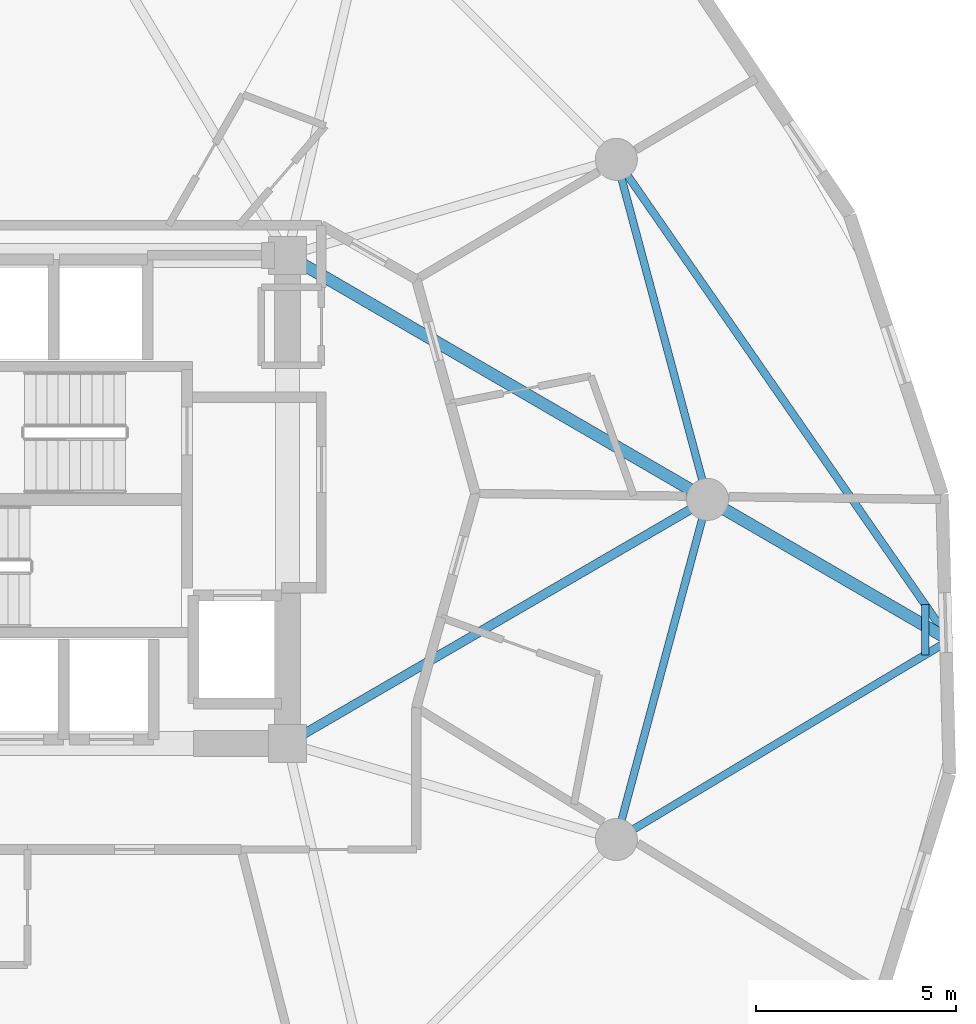
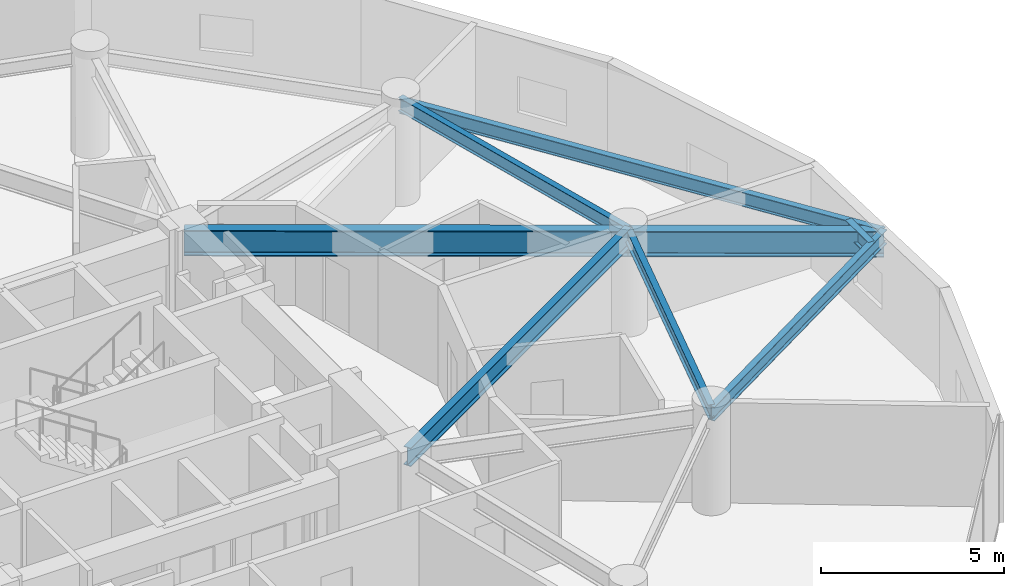
# One storey, part 9 of 20: 8 beams.
"""IFC4 building model written with IfcOpenShell, lengths in metres."""

from ifc_helpers import new_model, si_unit, direction, frame, origin, origin_2d, place, context, subcontext, project, spatial, i_section, extrude, material, material_profile, profile_set, type_object, element, save


model = new_model("IFC4")

# Units and contexts
model_context = context("Model", 3, precision=1e-05, world=origin(), true_north=direction((0.0, 1.0)))
body_context = subcontext(model_context, "Body", "Model", "MODEL_VIEW")
ifc_project = project(units=[si_unit("LENGTHUNIT", "METRE"), si_unit("AREAUNIT", "SQUARE_METRE"), si_unit("VOLUMEUNIT", "CUBIC_METRE"), si_unit("PLANEANGLEUNIT", "RADIAN"), si_unit("MASSUNIT", "GRAM", prefix="KILO")], contexts=[model_context])

# Site, building, storey
site_placement = place(None, origin())
site = spatial("IfcSite", under=ifc_project, at=site_placement, CompositionType="ELEMENT")
building_placement = place(site_placement, origin())
building = spatial("IfcBuilding", under=site, at=building_placement, Name="Solvirekh Grand Hotel", CompositionType="ELEMENT")
storey_placement = place(building_placement, frame((0.0, 0.0, 156.60009765625)))
storey = spatial("IfcBuildingStorey", under=building, at=storey_placement, Name="L40", CompositionType="ELEMENT", Elevation=156.60009765625)

# Beams
ifc_material_1 = material(Name="Steel S460", Category="steel")
ifc_material_profile_1 = material_profile(ifc_material_1, i_section(OverallWidth=0.302001953125, OverallDepth=0.85498046875, WebThickness=0.01904296875, FlangeThickness=0.032958984375, FilletRadius=0.01806640625, at=origin_2d()), Name="W840X299")
ifc_profile_set_1 = profile_set([ifc_material_profile_1], Name="Steel S460")
beam_type_1 = type_object("IfcBeamType", Name="Beam_PoolTie_W840", PredefinedType="BEAM", material=ifc_profile_set_1)
beam_1_placement = place(storey_placement, frame((6.5, 6.10009765625, 2.86181640625), z_axis=(0.864670076815, -0.50234018181, 0.0), x_axis=(0.50234018181, 0.864670076815, 0.0)))
element("IfcBeam", 1, at=beam_1_placement, inside=storey, type_object=beam_type_1, Name="L41 sky-garden back-span tie girder", PredefinedType="BEAM", context=body_context, shape_type="SweptSolid", body=[
    extrude(i_section(OverallWidth=0.302001953125, OverallDepth=0.85498046875, WebThickness=0.01904296875, FlangeThickness=0.032958984375, FilletRadius=0.01806640625, at=origin_2d()), origin(), (0.0, 0.0, 1.0), 12.143310546875),
])
beam_2_placement = place(storey_placement, frame((17.0, 0.0, 2.86181640625), z_axis=(0.864697085743, -0.502293688899, 0.0), x_axis=(0.502293688899, 0.864697085743, 0.0)))
element("IfcBeam", 2, at=beam_2_placement, inside=storey, type_object=beam_type_1, Name="L41 sky-garden primary cantilever bracket", PredefinedType="BEAM", context=body_context, shape_type="SweptSolid", body=[
    extrude(i_section(OverallWidth=0.302001953125, OverallDepth=0.85498046875, WebThickness=0.01904296875, FlangeThickness=0.032958984375, FilletRadius=0.01806640625, at=origin_2d()), origin(), (0.0, 0.0, 1.0), 7.0),
])
ifc_material_2 = material(Name="Steel S355", Category="steel")
ifc_material_profile_2 = material_profile(ifc_material_2, i_section(OverallWidth=0.194091796875, OverallDepth=0.468994140625, WebThickness=0.010986328125, FlangeThickness=0.01904296875, FilletRadius=0.012939453125, at=origin_2d()), Name="W460X106")
ifc_profile_set_2 = profile_set([ifc_material_profile_2], Name="Steel S355")
beam_type_2 = type_object("IfcBeamType", Name="Beam_Radial_W460H", PredefinedType="BEAM", material=ifc_profile_set_2)
beam_3_placement = place(storey_placement, frame((14.721923828125, -8.5, 3.054931640625), z_axis=(0.858162327931, 0.513378436361, 0.0), x_axis=(-0.513378436361, 0.858162327931, 0.0)))
element("IfcBeam", 3, at=beam_3_placement, inside=storey, type_object=beam_type_2, Name="L41 sky-garden edge tie beam 1", PredefinedType="BEAM", context=body_context, shape_type="SweptSolid", body=[
    extrude(i_section(OverallWidth=0.194091796875, OverallDepth=0.468994140625, WebThickness=0.010986328125, FlangeThickness=0.01904296875, FilletRadius=0.012939453125, at=origin_2d()), origin(), (0.0, 0.0, 1.0), 9.7080078125),
])
beam_4_placement = place(storey_placement, frame((14.721923828125, 8.5, 3.054931640625), z_axis=(0.569774209061, -0.821801284186, 0.0), x_axis=(0.821801284186, 0.569774209061, 0.0)))
element("IfcBeam", 4, at=beam_4_placement, inside=storey, type_object=beam_type_2, Name="L41 sky-garden edge tie beam 2", PredefinedType="BEAM", context=body_context, shape_type="SweptSolid", body=[
    extrude(i_section(OverallWidth=0.194091796875, OverallDepth=0.468994140625, WebThickness=0.010986328125, FlangeThickness=0.01904296875, FilletRadius=0.012939453125, at=origin_2d()), origin(), (0.0, 0.0, 1.0), 14.62158203125),
])
beam_5_placement = place(storey_placement, frame((22.43994140625, -3.882080078125, 3.054931640625), z_axis=(0.0, 1.0, 0.0), x_axis=(-1.0, 0.0, 0.0)))
element("IfcBeam", 5, at=beam_5_placement, inside=storey, type_object=beam_type_2, Name="L41 sky-garden outer cross trimmer", PredefinedType="BEAM", context=body_context, shape_type="SweptSolid", body=[
    extrude(i_section(OverallWidth=0.194091796875, OverallDepth=0.468994140625, WebThickness=0.010986328125, FlangeThickness=0.01904296875, FilletRadius=0.012939453125, at=origin_2d()), origin(), (0.0, 0.0, 1.0), 1.25),
])
ifc_material_profile_3 = material_profile(ifc_material_2, i_section(OverallWidth=0.22802734375, OverallDepth=0.616943359375, WebThickness=0.012939453125, FlangeThickness=0.02001953125, FilletRadius=0.014892578125, at=origin_2d()), Name="W610X140")
ifc_profile_set_3 = profile_set([ifc_material_profile_3], Name="Steel S355")
beam_type_3 = type_object("IfcBeamType", Name="Beam_Radial_W610", PredefinedType="BEAM", material=ifc_profile_set_3)
beam_6_placement = place(storey_placement, frame((6.5, -6.10009765625, 3.041015625), z_axis=(0.864670076815, 0.50234018181, 0.0), x_axis=(-0.50234018181, 0.864670076815, 0.0)))
element("IfcBeam", 6, at=beam_6_placement, inside=storey, type_object=beam_type_3, Name="L40 radial floor beam R01", PredefinedType="BEAM", context=body_context, shape_type="SweptSolid", body=[
    extrude(i_section(OverallWidth=0.22802734375, OverallDepth=0.616943359375, WebThickness=0.012939453125, FlangeThickness=0.02001953125, FilletRadius=0.014892578125, at=origin_2d()), origin(), (0.0, 0.0, 1.0), 12.143310546875),
])
ifc_material_profile_4 = material_profile(ifc_material_2, i_section(OverallWidth=0.18994140625, OverallDepth=0.45703125, WebThickness=0.009033203125, FlangeThickness=0.013916015625, FilletRadius=0.012939453125, at=origin_2d()), Name="W460X74")
ifc_profile_set_4 = profile_set([ifc_material_profile_4], Name="Steel S355")
beam_type_4 = type_object("IfcBeamType", Name="Spandrel_Ring_W460", PredefinedType="SPANDREL", material=ifc_profile_set_4)
for number, where, z_axis, x_axis, name in (
    (7, (17.0, 0.0, 3.120849609375), (-0.258872908946, 0.965911391906, 0.0), (-0.965911391906, -0.258872908946, 0.0), "L40 perimeter spandrel beam 1"),
    (8, (14.721923828125, -8.5, 3.120849609375), (0.258872908946, 0.965911391906, 0.0), (-0.965911391906, 0.258872908946, 0.0), "L40 perimeter spandrel beam 12"),
):
    element("IfcBeam", number, at=place(storey_placement, frame(where, z_axis=z_axis, x_axis=x_axis)), inside=storey, type_object=beam_type_4, Name=name, PredefinedType="SPANDREL", context=body_context, shape_type="SweptSolid", body=[
        extrude(i_section(OverallWidth=0.18994140625, OverallDepth=0.45703125, WebThickness=0.009033203125, FlangeThickness=0.013916015625, FilletRadius=0.012939453125, at=origin_2d()), origin(), (0.0, 0.0, 1.0), 8.800048828125),
    ])

save(model, "model.ifc")
